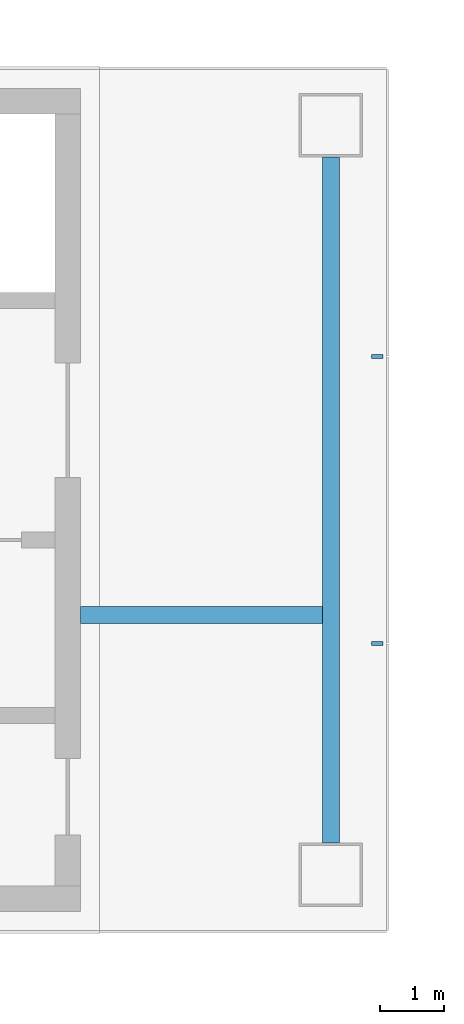
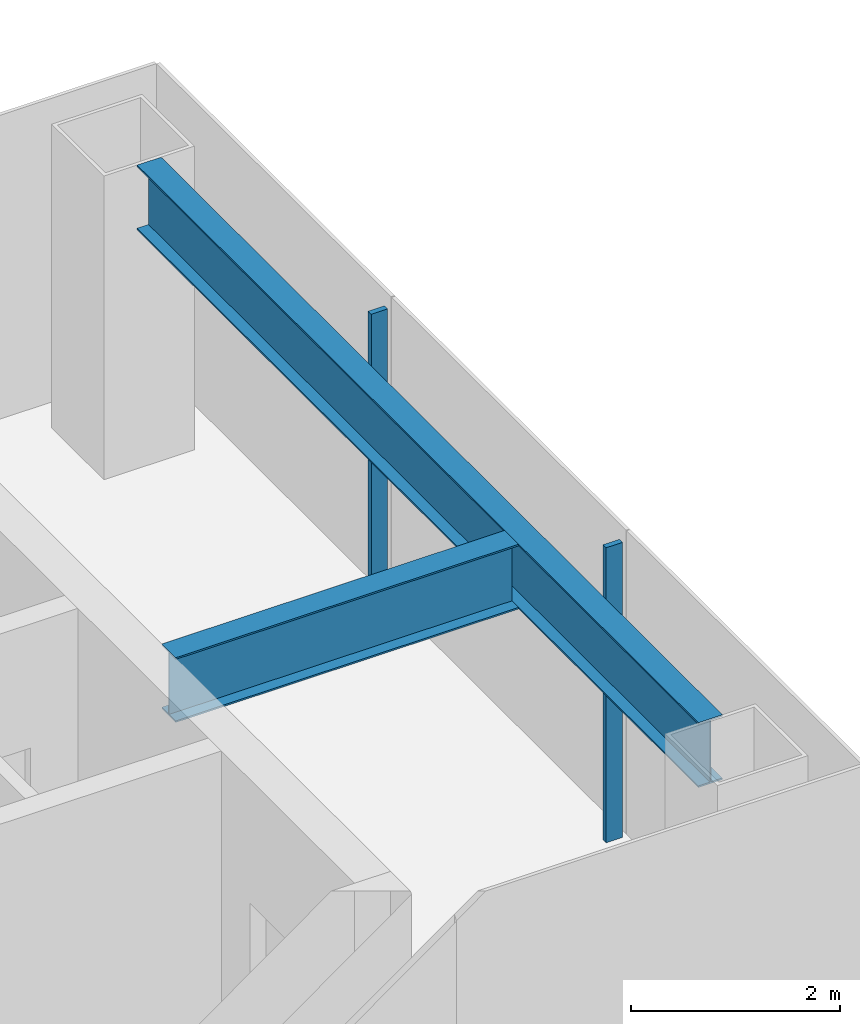
# One storey, part 4 of 16: 2 beams, 2 members, 1 element without a shape of its own.
"""IFC4 building model written with IfcOpenShell, lengths in metres."""

from ifc_helpers import new_model, si_unit, direction, frame, origin, origin_2d, place, context, subcontext, project, spatial, rectangle, i_section, extrude, material, layer, layer_set, material_profile, profile_set, type_object, element, aggregate, save


model = new_model("IFC4")

# Units and contexts
model_context = context("Model", 3, precision=1e-05, world=origin(), true_north=direction((0.0, 1.0)))
body_context = subcontext(model_context, "Body", "Model", "MODEL_VIEW")
ifc_project = project(units=[si_unit("LENGTHUNIT", "METRE"), si_unit("AREAUNIT", "SQUARE_METRE"), si_unit("VOLUMEUNIT", "CUBIC_METRE"), si_unit("PLANEANGLEUNIT", "RADIAN"), si_unit("MASSUNIT", "GRAM", prefix="KILO")], contexts=[model_context])

# Site, building, storey
site_placement = place(None, origin())
site = spatial("IfcSite", under=ifc_project, at=site_placement, CompositionType="ELEMENT")
building_placement = place(site_placement, origin())
building = spatial("IfcBuilding", under=site, at=building_placement, Name="Shamsa Quay Exchange Towers", CompositionType="ELEMENT")
storey_placement = place(building_placement, frame((0.0, 0.0, 190.5)))
storey = spatial("IfcBuildingStorey", under=building, at=storey_placement, Name="L45", CompositionType="ELEMENT", Elevation=190.5)

# Curtain wall, members
ifc_material_1 = material(Name="Aluminium EN AW-6063 T6, black anodised", Category="aluminium")
ifc_layer = layer(ifc_material_1, 0.280029296875)
ifc_layer_set = layer_set([ifc_layer], Name="CW-1 UNITISED VISION GLASS")
curtain_wall_type = type_object("IfcCurtainWallType", Name="CW-1 UNITISED VISION GLASS", PredefinedType="NOTDEFINED", material=ifc_layer_set)
curtain_wall_placement = place(storey_placement, origin())
curtain_wall = element("IfcCurtainWall", 1, at=curtain_wall_placement, inside=storey, type_object=curtain_wall_type, Name="CW1 T1-END-U+ L45", PredefinedType="NOTDEFINED")
ifc_material_profile_1 = material_profile(ifc_material_1, rectangle(XDim=0.179931640625, YDim=0.06005859375, at=origin_2d()), Name="MU60x180")
ifc_profile_set_1 = profile_set([ifc_material_profile_1], Name="Aluminium EN AW-6063 T6, black anodised")
member_type = type_object("IfcMemberType", Name="CW1 MULLION 60x180", PredefinedType="MULLION", material=ifc_profile_set_1)
member_1_placement = place(storey_placement, frame((-9.14990234375, -2.25, 0.0), z_axis=(0.0, 0.0, 1.0), x_axis=(-1.0, 0.0, 0.0)))
member_1 = element("IfcMember", 2, at=member_1_placement, type_object=member_type, Name="CW1 mullion", PredefinedType="MULLION", context=body_context, shape_type="SweptSolid", body=[
    extrude(rectangle(XDim=0.179931640625, YDim=0.06005859375, at=origin_2d()), origin(), (0.0, 0.0, 1.0), 3.449951171875),
])
member_2_placement = place(storey_placement, frame((-9.14990234375, 2.25, 0.0), z_axis=(0.0, 0.0, 1.0), x_axis=(-1.0, 0.0, 0.0)))
member_2 = element("IfcMember", 3, at=member_2_placement, type_object=member_type, Name="CW1 mullion", PredefinedType="MULLION", context=body_context, shape_type="SweptSolid", body=[
    extrude(rectangle(XDim=0.179931640625, YDim=0.06005859375, at=origin_2d()), origin(), (0.0, 0.0, 1.0), 3.449951171875),
])
aggregate(curtain_wall, [member_1, member_2])

# Beams
ifc_material_2 = material(Name="Steel S355", Category="steel")
ifc_material_profile_2 = material_profile(ifc_material_2, i_section(OverallWidth=0.26611328125, OverallDepth=0.7578125, WebThickness=0.013916015625, FlangeThickness=0.019287109375, at=origin_2d()), Name="W30x108")
ifc_profile_set_2 = profile_set([ifc_material_profile_2], Name="Steel S355")
beam_type = type_object("IfcBeamType", Name="End-zone beam W30x108", PredefinedType="BEAM", material=ifc_profile_set_2)
beam_1_placement = place(storey_placement, frame((-9.875, -5.375, 3.171142578125), z_axis=(0.0, 1.0, 0.0), x_axis=(-1.0, 0.0, 0.0)))
element("IfcBeam", 4, at=beam_1_placement, inside=storey, type_object=beam_type, Name="End beam T1 U+ end zone L45", PredefinedType="BEAM", context=body_context, shape_type="SweptSolid", body=[
    extrude(i_section(OverallWidth=0.26611328125, OverallDepth=0.7578125, WebThickness=0.013916015625, FlangeThickness=0.019287109375, at=origin_2d()), origin(), (0.0, 0.0, 1.0), 10.75),
])
beam_2_placement = place(storey_placement, frame((-13.800048828125, -1.800048828125, 3.171142578125), z_axis=(1.0, 0.0, 0.0), x_axis=(0.0, 1.0, 0.0)))
element("IfcBeam", 5, at=beam_2_placement, inside=storey, type_object=beam_type, Name="Spine beam T1 U+ end zone L45", PredefinedType="BEAM", context=body_context, shape_type="SweptSolid", body=[
    extrude(i_section(OverallWidth=0.26611328125, OverallDepth=0.7578125, WebThickness=0.013916015625, FlangeThickness=0.019287109375, at=origin_2d()), origin(), (0.0, 0.0, 1.0), 3.7919921875),
])

save(model, "model.ifc")
